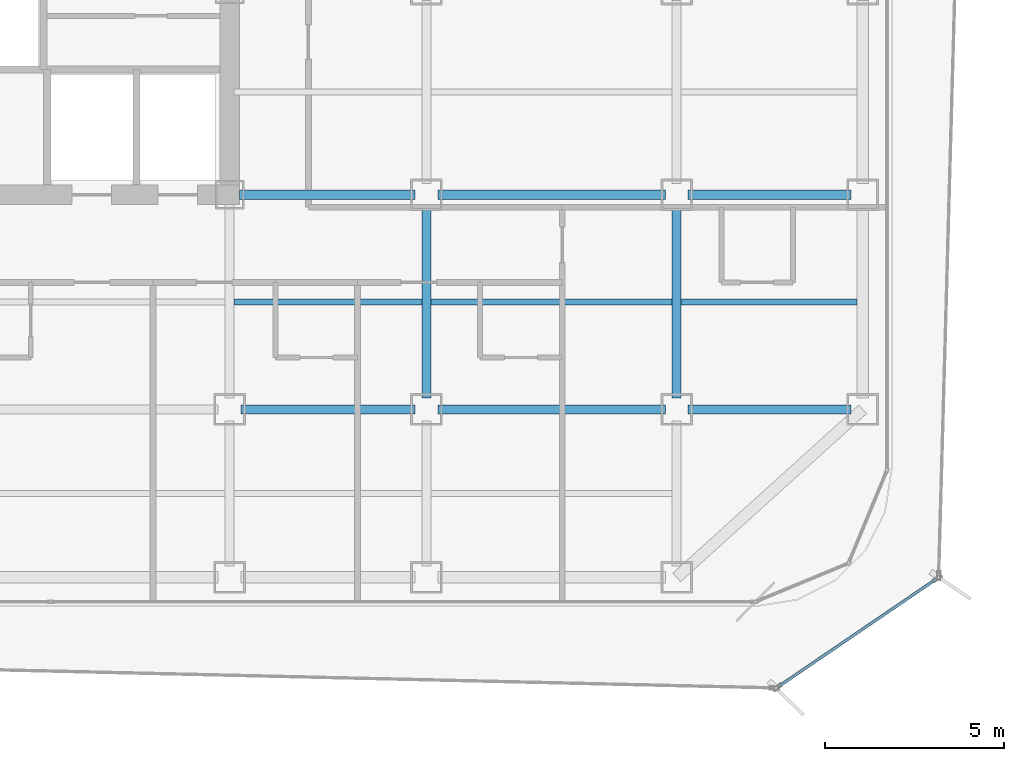
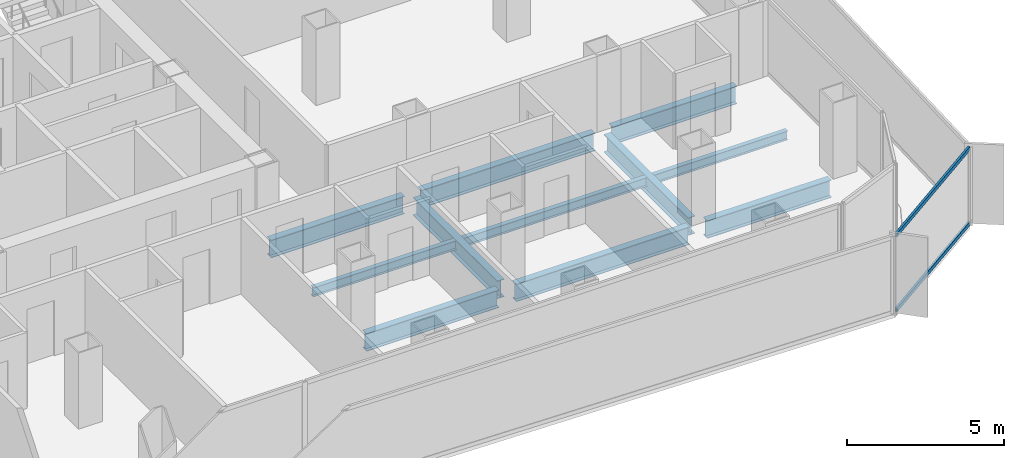
# One storey, part 7 of 21: 11 beams, 2 members, 1 element without a shape of its own.
"""IFC4 building model written with IfcOpenShell, lengths in metres."""

from ifc_helpers import new_model, si_unit, direction, frame, origin, origin_2d, place, context, subcontext, project, spatial, hollow_rectangle, i_section, extrude, source, transform, mapped, material, layer, layer_set, material_profile, profile_set, type_object, element, aggregate, save


model = new_model("IFC4")

# Units and contexts
model_context = context("Model", 3, precision=1e-05, world=origin(), true_north=direction((0.0, 1.0)))
body_context = subcontext(model_context, "Body", "Model", "MODEL_VIEW")
ifc_project = project(units=[si_unit("LENGTHUNIT", "METRE"), si_unit("AREAUNIT", "SQUARE_METRE"), si_unit("VOLUMEUNIT", "CUBIC_METRE"), si_unit("PLANEANGLEUNIT", "RADIAN"), si_unit("MASSUNIT", "GRAM", prefix="KILO")], contexts=[model_context])

# Site, building, storey
site_placement = place(None, origin())
site = spatial("IfcSite", under=ifc_project, at=site_placement, CompositionType="ELEMENT")
building_placement = place(site_placement, origin())
building = spatial("IfcBuilding", under=site, at=building_placement, Name="Kolveth Station Tower", CompositionType="ELEMENT")
storey_placement = place(building_placement, frame((0.0, 0.0, 102.300048828125)))
storey = spatial("IfcBuildingStorey", under=building, at=storey_placement, Name="L27", CompositionType="ELEMENT", Elevation=102.300048828125)

# Beams
ifc_material_1 = material(Name="Steel S355", Category="steel")
ifc_material_profile_1 = material_profile(ifc_material_1, i_section(OverallWidth=0.25390625, OverallDepth=0.68798828125, WebThickness=0.01318359375, FlangeThickness=0.02099609375, at=origin_2d()), Name="W690x152")
ifc_profile_set_1 = profile_set([ifc_material_profile_1], Name="Steel S355")
beam_type_1 = type_object("IfcBeamType", Name="Beam_B4", PredefinedType="BEAM", material=ifc_profile_set_1)
shared_shape_1 = source(origin(), body_context, "Body", "SweptSolid", [
    extrude(i_section(OverallWidth=0.25390625, OverallDepth=0.68798828125, WebThickness=0.01318359375, FlangeThickness=0.02099609375, at=origin_2d()), origin(), (0.0, 0.0, 1.0), 4.559814453125),
])
for number, where, z_axis, x_axis, name in (
    (1, (41.320068359375, 5.5, -0.593994140625), (1.0, 0.0, 0.0), (0.0, 1.0, 0.0), "L27 Primary Girder BM-L27-GY55-7"),
    (2, (41.320068359375, 11.5, -0.593994140625), (1.0, 0.0, 0.0), (0.0, 1.0, 0.0), "L27 Primary Girder BM-L27-GY115-7"),
):
    element("IfcBeam", number, at=place(storey_placement, frame(where, z_axis=z_axis, x_axis=x_axis)), inside=storey, type_object=beam_type_1, Name=name, PredefinedType="BEAM", context=body_context, shape_type="MappedRepresentation", body=[
        mapped(shared_shape_1, transform((0.0, 0.0, 0.0), x_axis=(1.0, 0.0, 0.0), y_axis=(0.0, 1.0, 0.0), z_axis=(0.0, 0.0, 1.0), scale=1.0)),
    ])
shared_shape_2 = source(origin(), body_context, "Body", "SweptSolid", [
    extrude(i_section(OverallWidth=0.25390625, OverallDepth=0.68798828125, WebThickness=0.01318359375, FlangeThickness=0.02099609375, at=origin_2d()), origin(), (0.0, 0.0, 1.0), 6.35986328125),
])
for number, where, z_axis, x_axis, name in (
    (3, (34.320068359375, 5.5, -0.593994140625), (1.0, 0.0, 0.0), (0.0, 1.0, 0.0), "L27 Primary Girder BM-L27-GY55-6"),
    (4, (34.320068359375, 11.5, -0.593994140625), (1.0, 0.0, 0.0), (0.0, 1.0, 0.0), "L27 Primary Girder BM-L27-GY115-6"),
):
    element("IfcBeam", number, at=place(storey_placement, frame(where, z_axis=z_axis, x_axis=x_axis)), inside=storey, type_object=beam_type_1, Name=name, PredefinedType="BEAM", context=body_context, shape_type="MappedRepresentation", body=[
        mapped(shared_shape_2, transform((0.0, 0.0, 0.0), x_axis=(1.0, 0.0, 0.0), y_axis=(0.0, 1.0, 0.0), z_axis=(0.0, 0.0, 1.0), scale=1.0)),
    ])
shared_shape_3 = source(origin(), body_context, "Body", "SweptSolid", [
    extrude(i_section(OverallWidth=0.25390625, OverallDepth=0.68798828125, WebThickness=0.01318359375, FlangeThickness=0.02099609375, at=origin_2d()), origin(), (0.0, 0.0, 1.0), 4.85986328125),
])
beam_1_placement = place(storey_placement, frame((28.820068359375, 5.5, -0.593994140625), z_axis=(1.0, 0.0, 0.0), x_axis=(0.0, 1.0, 0.0)))
element("IfcBeam", 5, at=beam_1_placement, inside=storey, type_object=beam_type_1, Name="L27 Primary Girder BM-L27-GY55-5", PredefinedType="BEAM", context=body_context, shape_type="MappedRepresentation", body=[
    mapped(shared_shape_3, transform((0.0, 0.0, 0.0), x_axis=(1.0, 0.0, 0.0), y_axis=(0.0, 1.0, 0.0), z_axis=(0.0, 0.0, 1.0), scale=1.0)),
])
shared_shape_4 = source(origin(), body_context, "Body", "SweptSolid", [
    extrude(i_section(OverallWidth=0.25390625, OverallDepth=0.68798828125, WebThickness=0.01318359375, FlangeThickness=0.02099609375, at=origin_2d()), origin(), (0.0, 0.0, 1.0), 4.89990234375),
])
beam_2_placement = place(storey_placement, frame((28.780029296875, 11.5, -0.593994140625), z_axis=(1.0, 0.0, 0.0), x_axis=(0.0, 1.0, 0.0)))
element("IfcBeam", 6, at=beam_2_placement, inside=storey, type_object=beam_type_1, Name="L27 Primary Girder BM-L27-GY115-5", PredefinedType="BEAM", context=body_context, shape_type="MappedRepresentation", body=[
    mapped(shared_shape_4, transform((0.0, 0.0, 0.0), x_axis=(1.0, 0.0, 0.0), y_axis=(0.0, 1.0, 0.0), z_axis=(0.0, 0.0, 1.0), scale=1.0)),
])
shared_shape_5 = source(origin(), body_context, "Body", "SweptSolid", [
    extrude(i_section(OverallWidth=0.25390625, OverallDepth=0.68798828125, WebThickness=0.01318359375, FlangeThickness=0.02099609375, at=origin_2d()), origin(), (0.0, 0.0, 1.0), 5.35986328125),
])
for number, where, z_axis, x_axis, name in (
    (7, (34.0, 5.820068359375, -0.593994140625), (0.0, 1.0, 0.0), (-1.0, 0.0, 0.0), "L27 Primary Girder BM-L27-GX340-2"),
    (8, (41.0, 5.820068359375, -0.593994140625), (0.0, 1.0, 0.0), (-1.0, 0.0, 0.0), "L27 Primary Girder BM-L27-GX410-2"),
):
    element("IfcBeam", number, at=place(storey_placement, frame(where, z_axis=z_axis, x_axis=x_axis)), inside=storey, type_object=beam_type_1, Name=name, PredefinedType="BEAM", context=body_context, shape_type="MappedRepresentation", body=[
        mapped(shared_shape_5, transform((0.0, 0.0, 0.0), x_axis=(1.0, 0.0, 0.0), y_axis=(0.0, 1.0, 0.0), z_axis=(0.0, 0.0, 1.0), scale=1.0)),
    ])
ifc_material_profile_2 = material_profile(ifc_material_1, i_section(OverallWidth=0.1708984375, OverallDepth=0.35205078125, WebThickness=0.0068359375, FlangeThickness=0.009765625, at=origin_2d()), Name="W360x44")
ifc_profile_set_2 = profile_set([ifc_material_profile_2], Name="Steel S355")
beam_type_2 = type_object("IfcBeamType", Name="Beam_J2", PredefinedType="JOIST", material=ifc_profile_set_2)
shared_shape_6 = source(origin(), body_context, "Body", "SweptSolid", [
    extrude(i_section(OverallWidth=0.1708984375, OverallDepth=0.35205078125, WebThickness=0.0068359375, FlangeThickness=0.009765625, at=origin_2d()), origin(), (0.0, 0.0, 1.0), 4.9150390625),
])
beam_3_placement = place(storey_placement, frame((41.125, 8.5, -0.426025390625), z_axis=(1.0, 0.0, 0.0), x_axis=(0.0, 1.0, 0.0)))
element("IfcBeam", 9, at=beam_3_placement, inside=storey, type_object=beam_type_2, Name="L27 Secondary Joist JST-L27-7-2", PredefinedType="JOIST", context=body_context, shape_type="MappedRepresentation", body=[
    mapped(shared_shape_6, transform((0.0, 0.0, 0.0), x_axis=(1.0, 0.0, 0.0), y_axis=(0.0, 1.0, 0.0), z_axis=(0.0, 0.0, 1.0), scale=1.0)),
])
shared_shape_7 = source(origin(), body_context, "Body", "SweptSolid", [
    extrude(i_section(OverallWidth=0.1708984375, OverallDepth=0.35205078125, WebThickness=0.0068359375, FlangeThickness=0.009765625, at=origin_2d()), origin(), (0.0, 0.0, 1.0), 6.75),
])
beam_4_placement = place(storey_placement, frame((34.125, 8.5, -0.426025390625), z_axis=(1.0, 0.0, 0.0), x_axis=(0.0, 1.0, 0.0)))
element("IfcBeam", 10, at=beam_4_placement, inside=storey, type_object=beam_type_2, Name="L27 Secondary Joist JST-L27-6-2", PredefinedType="JOIST", context=body_context, shape_type="MappedRepresentation", body=[
    mapped(shared_shape_7, transform((0.0, 0.0, 0.0), x_axis=(1.0, 0.0, 0.0), y_axis=(0.0, 1.0, 0.0), z_axis=(0.0, 0.0, 1.0), scale=1.0)),
])
shared_shape_8 = source(origin(), body_context, "Body", "SweptSolid", [
    extrude(i_section(OverallWidth=0.1708984375, OverallDepth=0.35205078125, WebThickness=0.0068359375, FlangeThickness=0.009765625, at=origin_2d()), origin(), (0.0, 0.0, 1.0), 5.25),
])
beam_5_placement = place(storey_placement, frame((28.625, 8.5, -0.426025390625), z_axis=(1.0, 0.0, 0.0), x_axis=(0.0, 1.0, 0.0)))
element("IfcBeam", 11, at=beam_5_placement, inside=storey, type_object=beam_type_2, Name="L27 Secondary Joist JST-L27-5-2", PredefinedType="JOIST", context=body_context, shape_type="MappedRepresentation", body=[
    mapped(shared_shape_8, transform((0.0, 0.0, 0.0), x_axis=(1.0, 0.0, 0.0), y_axis=(0.0, 1.0, 0.0), z_axis=(0.0, 0.0, 1.0), scale=1.0)),
])

# Curtain wall, members
ifc_material_2 = material(Name="Black anodized aluminium 6063-T6 and dark solar glass", Category="aluminium")
ifc_layer = layer(ifc_material_2, 0.159912109375)
ifc_layer_set = layer_set([ifc_layer], Name="Black anodized aluminium 6063-T6 and dark solar glass")
curtain_wall_type = type_object("IfcCurtainWallType", Name="OUTER SKIN CW-OS", PredefinedType="NOTDEFINED", material=ifc_layer_set)
curtain_wall_placement = place(storey_placement, origin())
curtain_wall = element("IfcCurtainWall", 12, at=curtain_wall_placement, inside=storey, type_object=curtain_wall_type, Name="L27 Outer Ventilated Skin Curtain Wall 1", PredefinedType="NOTDEFINED")
ifc_material_3 = material(Name="Black anodized aluminium 6063-T6", Category="aluminium")
ifc_material_profile_3 = material_profile(ifc_material_3, hollow_rectangle(XDim=0.080078125, YDim=0.14990234375, WallThickness=0.0048828125, at=origin_2d()), Name="ALU-80x150x5")
ifc_profile_set_3 = profile_set([ifc_material_profile_3], Name="Black anodized aluminium 6063-T6")
member_type = type_object("IfcMemberType", Name="Transom_TR-OS", PredefinedType="USERDEFINED", material=ifc_profile_set_3)
shared_shape_9 = source(origin(), body_context, "Body", "SweptSolid", [
    extrude(hollow_rectangle(XDim=0.080078125, YDim=0.14990234375, WallThickness=0.0048828125, at=origin_2d()), origin(), (0.0, 0.0, 1.0), 5.3212890625),
])
member_1_placement = place(storey_placement, frame((43.855712890625, -2.24462890625, 0.0400390625), z_axis=(0.826489334602, 0.562952377905, 0.0), x_axis=(-0.562952377905, 0.826489334602, 0.0)))
member_1 = element("IfcMember", 13, at=member_1_placement, type_object=member_type, Name="CW-OS transom 1.1", ObjectType="TRANSOM", PredefinedType="USERDEFINED", context=body_context, shape_type="MappedRepresentation", body=[
    mapped(shared_shape_9, transform((0.0, 0.0, 0.0), x_axis=(1.0, 0.0, 0.0), y_axis=(0.0, 1.0, 0.0), z_axis=(0.0, 0.0, 1.0), scale=1.0)),
])
member_2_placement = place(storey_placement, frame((43.855712890625, -2.24462890625, 2.949951171875), z_axis=(0.826489334602, 0.562952377905, 0.0), x_axis=(-0.562952377905, 0.826489334602, 0.0)))
member_2 = element("IfcMember", 14, at=member_2_placement, type_object=member_type, Name="CW-OS transom 1.2", ObjectType="TRANSOM", PredefinedType="USERDEFINED", context=body_context, shape_type="MappedRepresentation", body=[
    mapped(shared_shape_9, transform((0.0, 0.0, 0.0), x_axis=(1.0, 0.0, 0.0), y_axis=(0.0, 1.0, 0.0), z_axis=(0.0, 0.0, 1.0), scale=1.0)),
])
aggregate(curtain_wall, [member_1, member_2])

save(model, "model.ifc")
